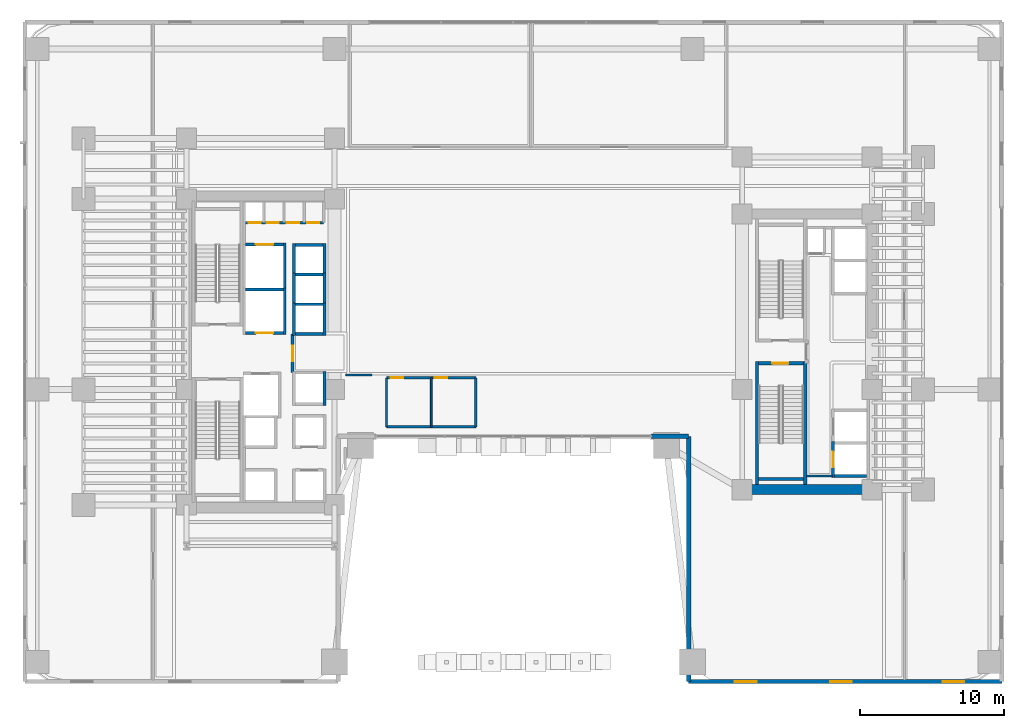
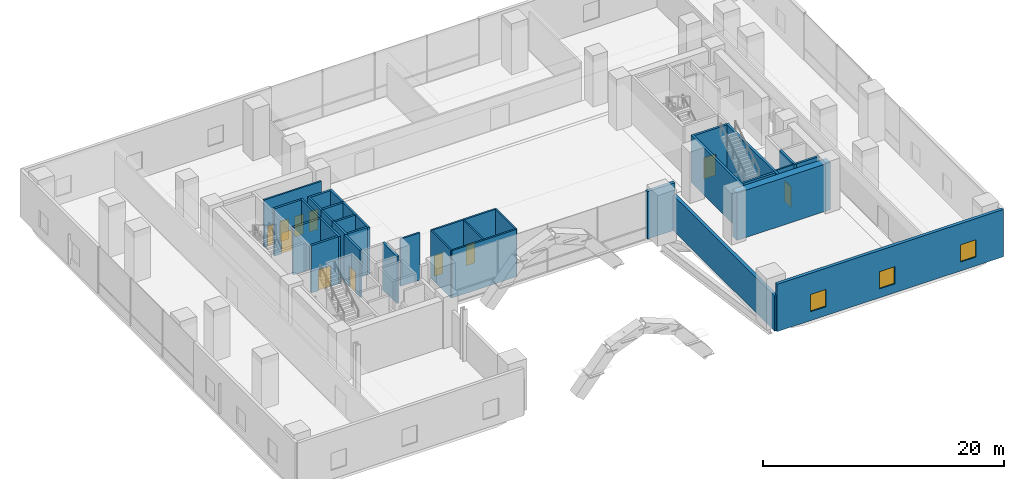
# One storey, part 27 of 39: 35 walls, 11 doors, 3 windows, 14 openings.
"""IFC4 building model written with IfcOpenShell, lengths in metres."""

import ifcopenshell
import ifcopenshell.guid

model = None  # the IFC model being written
_history = None  # IfcOwnerHistory: only IFC2X3 demands one
_inside = {}  # id of a spatial element -> (the spatial element, [elements in it])
_under = {}  # id of a project, library or spatial element -> (it, [spatial elements below it])
_declared = {}  # id of a project -> (the project, [libraries it declares])
_typed = {}  # id of a type object -> (the type object, [elements of that type])
_made_of = {}  # id of a material, layer set ... -> (it, [elements and type objects made of it])


def new_model(schema):
    """Start an empty IFC model of exactly this schema.

    Asked for "IFC4X3", IfcOpenShell would pick the latest addendum, in which some entities
    have other attributes; the version numbers below select the first issue.
    IFC2X3 requires an IfcOwnerHistory on every rooted entity: one is made here for all.
    """
    global model, _history
    if schema == "IFC4X3":
        model = ifcopenshell.file(schema_version=(4, 3, 0, 0))
    else:
        model = ifcopenshell.file(schema=schema)
    _inside.clear()
    _under.clear()
    _declared.clear()
    _typed.clear()
    _made_of.clear()
    _history = None
    if model.schema == "IFC2X3":
        org = make("IfcOrganization", Name="unknown")
        user = make(
            "IfcPersonAndOrganization",
            ThePerson=make("IfcPerson", FamilyName="unknown"),
            TheOrganization=org,
        )
        app = make(
            "IfcApplication",
            ApplicationDeveloper=org,
            Version="unknown",
            ApplicationFullName="unknown",
            ApplicationIdentifier="unknown",
        )
        _history = make(
            "IfcOwnerHistory",
            OwningUser=user,
            OwningApplication=app,
            ChangeAction="ADDED",
            CreationDate=0,
        )
    return model


def make(cls, **values):
    """One entity of the class cls with the attributes given. An attribute that is None is left unset."""
    return model.create_entity(
        cls, **{name: value for name, value in values.items() if value is not None}
    )


def rooted(cls, **values):
    """An entity with a GlobalId (a new one), such as an element, a storey or a relation."""
    return make(cls, GlobalId=ifcopenshell.guid.new(), OwnerHistory=_history, **values)


def si_unit(unit_type, name, prefix=None):
    """IfcSIUnit, for example si_unit("LENGTHUNIT", "METRE", prefix="MILLI")."""
    return make("IfcSIUnit", UnitType=unit_type, Prefix=prefix, Name=name)


def assignment(units):
    """IfcUnitAssignment: the units of a project."""
    return None if units is None else make("IfcUnitAssignment", Units=units)


def point(xyz):
    """IfcCartesianPoint."""
    return None if xyz is None else make("IfcCartesianPoint", Coordinates=xyz)


def direction(xyz):
    """IfcDirection."""
    return None if xyz is None else make("IfcDirection", DirectionRatios=xyz)


def frame(location, z_axis=None, x_axis=None):
    """IfcAxis2Placement3D, a coordinate frame: its origin and axes. An axis left out is left unset."""
    return make(
        "IfcAxis2Placement3D",
        Location=point(location),
        Axis=direction(z_axis),
        RefDirection=direction(x_axis),
    )


def frame_2d(location, x_axis=None):
    """IfcAxis2Placement2D, a coordinate frame in the plane: its origin and x axis."""
    return make(
        "IfcAxis2Placement2D", Location=point(location), RefDirection=direction(x_axis)
    )


def origin():
    """The frame at (0, 0, 0) with its axes left unset."""
    return frame((0.0, 0.0, 0.0))


def place(relative_to, where):
    """IfcLocalPlacement: puts the frame where relative to a parent placement (None: the world)."""
    return make(
        "IfcLocalPlacement", PlacementRelTo=relative_to, RelativePlacement=where
    )


def context(
    kind, dimensions, precision=None, world=None, true_north=None, identifier=None
):
    """IfcGeometricRepresentationContext, for example the 3D "Model" context."""
    return make(
        "IfcGeometricRepresentationContext",
        ContextIdentifier=identifier,
        ContextType=kind,
        CoordinateSpaceDimension=dimensions,
        Precision=precision,
        WorldCoordinateSystem=world,
        TrueNorth=true_north,
    )


def subcontext(parent, identifier, kind, view, scale=None):
    """IfcGeometricRepresentationSubContext, for example "Body" below "Model"."""
    return make(
        "IfcGeometricRepresentationSubContext",
        ContextIdentifier=identifier,
        ContextType=kind,
        ParentContext=parent,
        TargetScale=scale,
        TargetView=view,
    )


def project(units=None, contexts=None):
    """IfcProject with its units and contexts."""
    return rooted(
        "IfcProject",
        Name="project",
        RepresentationContexts=contexts,
        UnitsInContext=assignment(units),
    )


def spatial(cls, under=None, at=None, **own):
    """A site, building, storey or space (cls), placed at a placement, below another one or the project."""
    s = rooted(cls, ObjectPlacement=at, **own)
    if under is not None:
        _under.setdefault(under.id(), (under, []))[1].append(s)
    return s


def profile(cls, at=None, kind="AREA", **sizes):
    """A parametric profile (cls). Its sizes go by their IFC names, for example OverallWidth=200.0."""
    return make(cls, ProfileType=kind, Position=at, **sizes)


def rectangle(**sizes):
    """IfcRectangleProfileDef."""
    return profile("IfcRectangleProfileDef", **sizes)


def extrude(swept, where, along, depth):
    """IfcExtrudedAreaSolid: the profile swept, set in the frame where, extruded along a direction by depth."""
    return make(
        "IfcExtrudedAreaSolid",
        SweptArea=swept,
        Position=where,
        ExtrudedDirection=direction(along),
        Depth=depth,
    )


def shape(context_of_items, identifier, shape_type, items):
    """IfcShapeRepresentation: the items that make up one representation, for example the "Body"."""
    return make(
        "IfcShapeRepresentation",
        ContextOfItems=context_of_items,
        RepresentationIdentifier=identifier,
        RepresentationType=shape_type,
        Items=items,
    )


def material(Name=None, Category=None):
    """IfcMaterial."""
    return make("IfcMaterial", Name=Name, Category=Category)


def layer(
    of_material, thickness, ventilated=None, Name=None, Category=None, Priority=None
):
    """IfcMaterialLayer: one layer of a wall or slab, of a material (None: an air gap)."""
    return make(
        "IfcMaterialLayer",
        Material=of_material,
        LayerThickness=thickness,
        IsVentilated=ventilated,
        Name=Name,
        Category=Category,
        Priority=Priority,
    )


def layer_set(layers, Name=None):
    """IfcMaterialLayerSet."""
    return make("IfcMaterialLayerSet", MaterialLayers=layers, LayerSetName=Name)


def made_of(thing, what):
    """Note that an element or type object is made of a material, layer set ...; save() writes the relation."""
    if what is not None:
        _made_of.setdefault(what.id(), (what, []))[1].append(thing)
    return thing


def type_object(cls, material=None, **own):
    """A type object (cls), such as IfcWallType, which elements share."""
    return made_of(rooted(cls, **own), material)


def element(
    cls,
    number,
    at=None,
    inside=None,
    cuts=None,
    type_object=None,
    material=None,
    context=None,
    identifier="Body",
    shape_type=None,
    held_by="IfcProductDefinitionShape",
    body=None,
    shapes=None,
    **own,
):
    """One element of the class cls, such as IfcWall. Its Tag is "e" and its number.

    at: its placement. inside: the storey or other place that contains it. cuts: it is an
    opening in that element (IfcRelVoidsElement). A single representation is given by context,
    identifier, shape_type and body (its items); several are given by shapes. held_by: the class
    of the entity that holds the representations. save() writes the other relations.
    """
    e = rooted(cls, Tag="e%d" % number, ObjectPlacement=at, **own)
    if body is not None:
        shapes = [shape(context, identifier, shape_type, body)]
    if shapes is not None:
        e.Representation = make(held_by, Representations=shapes)
    if inside is not None:
        _inside.setdefault(inside.id(), (inside, []))[1].append(e)
    if cuts is not None:
        rooted(
            "IfcRelVoidsElement", RelatingBuildingElement=cuts, RelatedOpeningElement=e
        )
    if type_object is not None:
        _typed.setdefault(type_object.id(), (type_object, []))[1].append(e)
    return made_of(e, material)


def fill(opening, filler):
    """IfcRelFillsElement: the door or window that sits in an opening."""
    return rooted(
        "IfcRelFillsElement",
        RelatingOpeningElement=opening,
        RelatedBuildingElement=filler,
    )


def aggregate(whole, parts):
    """IfcRelAggregates: a whole, such as a stair, and the parts it consists of."""
    return rooted("IfcRelAggregates", RelatingObject=whole, RelatedObjects=parts)


def save(model, path):
    """Write the relations noted so far, then the file.

    IfcRelAggregates (storeys below a building ...), IfcRelContainedInSpatialStructure (elements
    in a storey), IfcRelDefinesByType, IfcRelAssociatesMaterial and IfcRelDeclares: one each for
    every whole, place, type object, material and project.
    """
    for whole, parts in _under.values():
        aggregate(whole, parts)
    for where, things in _inside.values():
        rooted(
            "IfcRelContainedInSpatialStructure",
            RelatedElements=things,
            RelatingStructure=where,
        )
    for kind, things in _typed.values():
        rooted("IfcRelDefinesByType", RelatedObjects=things, RelatingType=kind)
    for what, things in _made_of.values():
        rooted("IfcRelAssociatesMaterial", RelatedObjects=things, RelatingMaterial=what)
    for by, libraries in _declared.values():
        rooted("IfcRelDeclares", RelatingContext=by, RelatedDefinitions=libraries)
    model.write(path)


model = new_model("IFC4")

# Units and contexts
model_context = context("Model", 3, precision=1e-05, world=origin(), true_north=direction((0.0, 1.0)))
body_context = subcontext(model_context, "Body", "Model", "MODEL_VIEW")
ifc_project = project(units=[si_unit("LENGTHUNIT", "METRE"), si_unit("AREAUNIT", "SQUARE_METRE"), si_unit("VOLUMEUNIT", "CUBIC_METRE"), si_unit("PLANEANGLEUNIT", "RADIAN"), si_unit("MASSUNIT", "GRAM", prefix="KILO")], contexts=[model_context])

# Site, building, storey
site_placement = place(None, origin())
site = spatial("IfcSite", under=ifc_project, at=site_placement, CompositionType="ELEMENT")
building_placement = place(site_placement, origin())
building = spatial("IfcBuilding", under=site, at=building_placement, Name="Valdorenza Pilgrim Sanctuary Tower", CompositionType="ELEMENT")
storey_placement = place(building_placement, frame((0.0, 0.0, 15.60009765625)))
storey = spatial("IfcBuildingStorey", under=building, at=storey_placement, Name="L03", CompositionType="ELEMENT", Elevation=15.60009765625)

# Wall, openings, doors
ifc_material_1 = material(Name="Acoustic twin-stud gypsum partition", Category="gypsum")
ifc_layer_1 = layer(ifc_material_1, 0.159912109375, Name="Acoustic twin-stud gypsum partition")
ifc_layer_set_1 = layer_set([ifc_layer_1], Name="Acoustic twin-stud gypsum partition")
wall_type_1 = type_object("IfcWallType", Name="WAL-COR-160", PredefinedType="PARTITIONING", material=ifc_layer_set_1)
wall_1_placement = place(storey_placement, frame((-18.64990234375, 8.949951171875, 0.0), z_axis=(0.0, 0.0, 1.0), x_axis=(1.0, 0.0, 0.0)))
wall_1 = element("IfcWall", 1, at=wall_1_placement, inside=storey, type_object=wall_type_1, Name="L03 Core A North Service South Wall", PredefinedType="PARTITIONING", context=body_context, shape_type="SweptSolid", body=[
    extrude(rectangle(XDim=5.5, YDim=0.159912109375, at=frame_2d((2.75, 0.0))), origin(), (0.0, 0.0, 1.0), 4.7998046875),
])
opening_1_placement = place(wall_1_placement, frame((0.300048828125, 0.0, 0.0)))
opening_1 = element("IfcOpeningElement", 2, at=opening_1_placement, cuts=wall_1, Name="Opening DR-RS1", PredefinedType="OPENING", context=body_context, shape_type="SweptSolid", body=[
    extrude(rectangle(XDim=0.85009765625, YDim=2.050048828125, at=frame_2d((0.425048828125, 1.02490234375))), frame((0.0, 0.0947265625, 0.0), z_axis=(0.0, -1.0, 0.0), x_axis=(1.0, 0.0, 0.0)), (0.0, 0.0, 1.0), 0.189697265625),
])
opening_2_placement = place(wall_1_placement, frame((1.550048828125, 0.0, 0.0)))
opening_2 = element("IfcOpeningElement", 3, at=opening_2_placement, cuts=wall_1, Name="Opening DR-RS1", PredefinedType="OPENING", context=body_context, shape_type="SweptSolid", body=[
    extrude(rectangle(XDim=0.85009765625, YDim=2.050048828125, at=frame_2d((0.425048828125, 1.02490234375))), frame((0.0, 0.0947265625, 0.0), z_axis=(0.0, -1.0, 0.0), x_axis=(1.0, 0.0, 0.0)), (0.0, 0.0, 1.0), 0.189697265625),
])
opening_3_placement = place(wall_1_placement, frame((2.949951171875, 0.0, 0.0)))
opening_3 = element("IfcOpeningElement", 4, at=opening_3_placement, cuts=wall_1, Name="Opening DR-RS1", PredefinedType="OPENING", context=body_context, shape_type="SweptSolid", body=[
    extrude(rectangle(XDim=0.85009765625, YDim=2.050048828125, at=frame_2d((0.425048828125, 1.02490234375))), frame((0.0, 0.0947265625, 0.0), z_axis=(0.0, -1.0, 0.0), x_axis=(1.0, 0.0, 0.0)), (0.0, 0.0, 1.0), 0.189697265625),
])
opening_4_placement = place(wall_1_placement, frame((4.35009765625, 0.0, 0.0)))
opening_4 = element("IfcOpeningElement", 5, at=opening_4_placement, cuts=wall_1, Name="Opening DR-RS1", PredefinedType="OPENING", context=body_context, shape_type="SweptSolid", body=[
    extrude(rectangle(XDim=0.85009765625, YDim=2.050048828125, at=frame_2d((0.425048828125, 1.02490234375))), frame((0.0, 0.0947265625, 0.0), z_axis=(0.0, -1.0, 0.0), x_axis=(1.0, 0.0, 0.0)), (0.0, 0.0, 1.0), 0.189697265625),
])
ifc_material_2 = material(Name="Painted galvanized steel", Category="steel")
door_type_1 = type_object("IfcDoorType", Name="DR-RSR-850", OperationType="NOTDEFINED", PredefinedType="DOOR", material=ifc_material_2)
door_1_placement = place(opening_1_placement, origin())
door_1 = element("IfcDoor", 6, at=door_1_placement, inside=storey, type_object=door_type_1, Name="L03 Core Electrical and Telecom Riser Door", OperationType="SINGLE_SWING_LEFT", OverallHeight=2.050048828125, OverallWidth=0.85009765625, PredefinedType="DOOR", context=body_context, shape_type="SweptSolid", body=[
    extrude(rectangle(XDim=0.85009765625, YDim=2.050048828125, at=frame_2d((0.425048828125, 1.02490234375))), frame((0.0, 0.02490234375, 0.0), z_axis=(0.0, -1.0, 0.0), x_axis=(1.0, 0.0, 0.0)), (0.0, 0.0, 1.0), 0.050048828125),
])
fill(opening_1, door_1)
door_2_placement = place(opening_2_placement, origin())
door_2 = element("IfcDoor", 7, at=door_2_placement, inside=storey, type_object=door_type_1, Name="L03 Core Janitor and Maintenance Store Door", OperationType="SINGLE_SWING_RIGHT", OverallHeight=2.050048828125, OverallWidth=0.85009765625, PredefinedType="DOOR", context=body_context, shape_type="SweptSolid", body=[
    extrude(rectangle(XDim=0.85009765625, YDim=2.050048828125, at=frame_2d((0.425048828125, 1.02490234375))), frame((0.0, 0.02490234375, 0.0), z_axis=(0.0, -1.0, 0.0), x_axis=(1.0, 0.0, 0.0)), (0.0, 0.0, 1.0), 0.050048828125),
])
fill(opening_2, door_2)
door_3_placement = place(opening_3_placement, origin())
door_3 = element("IfcDoor", 8, at=door_3_placement, inside=storey, type_object=door_type_1, Name="L03 Core IT Server Closet Door", OperationType="SINGLE_SWING_LEFT", OverallHeight=2.050048828125, OverallWidth=0.85009765625, PredefinedType="DOOR", context=body_context, shape_type="SweptSolid", body=[
    extrude(rectangle(XDim=0.85009765625, YDim=2.050048828125, at=frame_2d((0.425048828125, 1.02490234375))), frame((0.0, 0.02490234375, 0.0), z_axis=(0.0, -1.0, 0.0), x_axis=(1.0, 0.0, 0.0)), (0.0, 0.0, 1.0), 0.050048828125),
])
fill(opening_3, door_3)
door_4_placement = place(opening_4_placement, origin())
door_4 = element("IfcDoor", 9, at=door_4_placement, inside=storey, type_object=door_type_1, Name="L03 Core Staff Washroom Door", OperationType="SINGLE_SWING_RIGHT", OverallHeight=2.050048828125, OverallWidth=0.85009765625, PredefinedType="DOOR", context=body_context, shape_type="SweptSolid", body=[
    extrude(rectangle(XDim=0.85009765625, YDim=2.050048828125, at=frame_2d((0.425048828125, 1.02490234375))), frame((0.0, 0.02490234375, 0.0), z_axis=(0.0, -1.0, 0.0), x_axis=(1.0, 0.0, 0.0)), (0.0, 0.0, 1.0), 0.050048828125),
])
fill(opening_4, door_4)

# Walls
wall_2_placement = place(storey_placement, frame((20.300048828125, -8.60009765625, 0.0), z_axis=(0.0, 0.0, 1.0), x_axis=(1.0, 0.0, 0.0)))
element("IfcWall", 10, at=wall_2_placement, inside=storey, type_object=wall_type_1, Name="L03 Core B Lift Hall South End Wall", PredefinedType="PARTITIONING", context=body_context, shape_type="SweptSolid", body=[
    extrude(rectangle(XDim=1.820068359375, YDim=0.159912109375, at=frame_2d((0.91015625, 0.0))), origin(), (0.0, 0.0, 1.0), 4.7998046875),
])
for number, where, z_axis, x_axis, name in (
    (11, (-8.800048828125, -5.199951171875, 0.0), (0.0, 0.0, 1.0), (0.0, 1.0, 0.0), "L03 Washroom West Wall"),
    (12, (-2.60009765625, -5.199951171875, 0.0), (0.0, 0.0, 1.0), (0.0, 1.0, 0.0), "L03 Washroom East Wall"),
):
    element("IfcWall", number, at=place(storey_placement, frame(where, z_axis=z_axis, x_axis=x_axis)), inside=storey, type_object=wall_type_1, Name=name, PredefinedType="PARTITIONING", context=body_context, shape_type="SweptSolid", body=[
        extrude(rectangle(XDim=3.39990234375, YDim=0.159912109375, at=frame_2d((1.699951171875, 0.0))), origin(), (0.0, 0.0, 1.0), 4.7998046875),
    ])
wall_3_placement = place(storey_placement, frame((-8.800048828125, -5.199951171875, 0.0), z_axis=(0.0, 0.0, 1.0), x_axis=(1.0, 0.0, 0.0)))
element("IfcWall", 13, at=wall_3_placement, inside=storey, type_object=wall_type_1, Name="L03 Washroom South Wall", PredefinedType="PARTITIONING", context=body_context, shape_type="SweptSolid", body=[
    extrude(rectangle(XDim=6.199951171875, YDim=0.159912109375, at=frame_2d((3.10009765625, 0.0))), origin(), (0.0, 0.0, 1.0), 4.7998046875),
])

# Wall, openings, doors
wall_4_placement = place(storey_placement, frame((-8.800048828125, -1.800048828125, 0.0), z_axis=(0.0, 0.0, 1.0), x_axis=(1.0, 0.0, 0.0)))
wall_4 = element("IfcWall", 14, at=wall_4_placement, inside=storey, type_object=wall_type_1, Name="L03 Washroom North Wall", PredefinedType="PARTITIONING", context=body_context, shape_type="SweptSolid", body=[
    extrude(rectangle(XDim=6.199951171875, YDim=0.159912109375, at=frame_2d((3.10009765625, 0.0))), origin(), (0.0, 0.0, 1.0), 4.7998046875),
])
opening_5_placement = place(wall_4_placement, frame((0.300048828125, 0.0, 0.0)))
opening_5 = element("IfcOpeningElement", 15, at=opening_5_placement, cuts=wall_4, Name="Opening DR-WC1", PredefinedType="OPENING", context=body_context, shape_type="SweptSolid", body=[
    extrude(rectangle(XDim=0.85009765625, YDim=2.10009765625, at=frame_2d((0.425048828125, 1.050048828125))), frame((0.0, 0.0947265625, 0.0), z_axis=(0.0, -1.0, 0.0), x_axis=(1.0, 0.0, 0.0)), (0.0, 0.0, 1.0), 0.189697265625),
])
opening_6_placement = place(wall_4_placement, frame((3.35009765625, 0.0, 0.0)))
opening_6 = element("IfcOpeningElement", 16, at=opening_6_placement, cuts=wall_4, Name="Opening DR-WC1", PredefinedType="OPENING", context=body_context, shape_type="SweptSolid", body=[
    extrude(rectangle(XDim=0.85009765625, YDim=2.10009765625, at=frame_2d((0.425048828125, 1.050048828125))), frame((0.0, 0.0947265625, 0.0), z_axis=(0.0, -1.0, 0.0), x_axis=(1.0, 0.0, 0.0)), (0.0, 0.0, 1.0), 0.189697265625),
])
ifc_material_3 = material(Name="Moisture-resistant lacquered timber", Category="wood")
door_type_2 = type_object("IfcDoorType", Name="DR-BATH-850", OperationType="NOTDEFINED", PredefinedType="DOOR", material=ifc_material_3)
door_5_placement = place(opening_5_placement, origin())
door_5 = element("IfcDoor", 17, at=door_5_placement, inside=storey, type_object=door_type_2, Name="L03 Accessible Washroom Door", OperationType="SINGLE_SWING_LEFT", OverallHeight=2.10009765625, OverallWidth=0.85009765625, PredefinedType="DOOR", context=body_context, shape_type="SweptSolid", body=[
    extrude(rectangle(XDim=0.85009765625, YDim=2.10009765625, at=frame_2d((0.425048828125, 1.050048828125))), frame((0.0, 0.02490234375, 0.0), z_axis=(0.0, -1.0, 0.0), x_axis=(1.0, 0.0, 0.0)), (0.0, 0.0, 1.0), 0.050048828125),
])
fill(opening_5, door_5)
door_6_placement = place(opening_6_placement, origin())
door_6 = element("IfcDoor", 18, at=door_6_placement, inside=storey, type_object=door_type_2, Name="L03 Public Washroom Door", OperationType="SINGLE_SWING_RIGHT", OverallHeight=2.10009765625, OverallWidth=0.85009765625, PredefinedType="DOOR", context=body_context, shape_type="SweptSolid", body=[
    extrude(rectangle(XDim=0.85009765625, YDim=2.10009765625, at=frame_2d((0.425048828125, 1.050048828125))), frame((0.0, 0.02490234375, 0.0), z_axis=(0.0, -1.0, 0.0), x_axis=(1.0, 0.0, 0.0)), (0.0, 0.0, 1.0), 0.050048828125),
])
fill(opening_6, door_6)

# Walls
wall_5_placement = place(storey_placement, frame((-11.64990234375, -1.60009765625, 0.0), z_axis=(0.0, 0.0, 1.0), x_axis=(1.0, 0.0, 0.0)))
element("IfcWall", 19, at=wall_5_placement, inside=storey, type_object=wall_type_1, Name="L03 L03 Concourse South Closure", PredefinedType="PARTITIONING", context=body_context, shape_type="SweptSolid", body=[
    extrude(rectangle(XDim=1.849853515625, YDim=0.159912109375, at=frame_2d((0.9248046875, 0.0))), origin(), (0.0, 0.0, 1.0), 4.7998046875),
])
ifc_material_4 = material(Name="Concrete C60/75", Category="concrete")
ifc_layer_2 = layer(ifc_material_4, 0.699951171875, Name="Concrete C60/75")
ifc_layer_set_2 = layer_set([ifc_layer_2], Name="Concrete C60/75")
wall_type_2 = type_object("IfcWallType", Name="WAL-COR-700", PredefinedType="SHEAR", material=ifc_layer_set_2)
wall_6_placement = place(storey_placement, frame((15.85009765625, -9.550048828125, 0.0), z_axis=(0.0, 0.0, 1.0), x_axis=(1.0, 0.0, 0.0)))
element("IfcWall", 20, at=wall_6_placement, inside=storey, type_object=wall_type_2, Name="L03 Split Core B Shear Wall S", PredefinedType="SHEAR", context=body_context, shape_type="SweptSolid", body=[
    extrude(rectangle(XDim=9.0, YDim=0.699951171875, at=frame_2d((4.5, 0.0))), origin(), (0.0, 0.0, 1.0), 4.7998046875),
])

# Wall, openings, windows
ifc_material_5 = material(Name="Honed travertine limestone", Category="masonry")
ifc_layer_3 = layer(ifc_material_5, 0.300048828125, Name="Honed travertine limestone")
ifc_layer_set_3 = layer_set([ifc_layer_3], Name="Honed travertine limestone")
wall_type_3 = type_object("IfcWallType", Name="WAL-EXT-300", PredefinedType="SOLIDWALL", material=ifc_layer_set_3)
wall_7_placement = place(storey_placement, frame((12.14990234375, -22.85009765625, 0.0), z_axis=(0.0, 0.0, 1.0), x_axis=(1.0, 0.0, 0.0)))
wall_7 = element("IfcWall", 21, at=wall_7_placement, inside=storey, type_object=wall_type_3, Name="L03 Podium Honed Travertine Stone Wall S-E", PredefinedType="SOLIDWALL", context=body_context, shape_type="SweptSolid", body=[
    extrude(rectangle(XDim=21.7001953125, YDim=0.300048828125, at=frame_2d((10.85009765625, 0.0))), origin(), (0.0, 0.0, 1.0), 4.7998046875),
])
opening_7_placement = place(wall_7_placement, frame((3.199951171875, 0.0, 0.89990234375)))
opening_7 = element("IfcOpeningElement", 22, at=opening_7_placement, cuts=wall_7, Name="Opening WN-VS1", PredefinedType="OPENING", context=body_context, shape_type="SweptSolid", body=[
    extrude(rectangle(XDim=1.5, YDim=1.75, at=frame_2d((0.75, 0.875))), frame((0.0, 0.1650390625, 0.0), z_axis=(0.0, -1.0, 0.0), x_axis=(1.0, 0.0, 0.0)), (0.0, 0.0, 1.0), 0.329833984375),
])
opening_8_placement = place(wall_7_placement, frame((9.800048828125, 0.0, 0.89990234375)))
opening_8 = element("IfcOpeningElement", 23, at=opening_8_placement, cuts=wall_7, Name="Opening WN-VS1", PredefinedType="OPENING", context=body_context, shape_type="SweptSolid", body=[
    extrude(rectangle(XDim=1.5, YDim=1.75, at=frame_2d((0.75, 0.875))), frame((0.0, 0.1650390625, 0.0), z_axis=(0.0, -1.0, 0.0), x_axis=(1.0, 0.0, 0.0)), (0.0, 0.0, 1.0), 0.329833984375),
])
opening_9_placement = place(wall_7_placement, frame((17.60009765625, 0.0, 0.89990234375)))
opening_9 = element("IfcOpeningElement", 24, at=opening_9_placement, cuts=wall_7, Name="Opening WN-VS1", PredefinedType="OPENING", context=body_context, shape_type="SweptSolid", body=[
    extrude(rectangle(XDim=1.5, YDim=1.75, at=frame_2d((0.75, 0.875))), frame((0.0, 0.1650390625, 0.0), z_axis=(0.0, -1.0, 0.0), x_axis=(1.0, 0.0, 0.0)), (0.0, 0.0, 1.0), 0.329833984375),
])
ifc_material_6 = material(Name="Ceramic-fritted low-E IGU glazing", Category="glass")
window_type = type_object("IfcWindowType", Name="WIN-VIS-1500", PartitioningType="SINGLE_PANEL", PredefinedType="WINDOW", material=ifc_material_6)
window_1_placement = place(opening_7_placement, origin())
window_1 = element("IfcWindow", 25, at=window_1_placement, inside=storey, type_object=window_type, Name="L03 Podium Stone Vision Window S-E-1", OverallHeight=1.75, OverallWidth=1.5, PartitioningType="SINGLE_PANEL", PredefinedType="WINDOW", context=body_context, shape_type="SweptSolid", body=[
    extrude(rectangle(XDim=1.5, YDim=1.75, at=frame_2d((0.75, 0.875))), frame((0.0, 0.030029296875, 0.0), z_axis=(0.0, -1.0, 0.0), x_axis=(1.0, 0.0, 0.0)), (0.0, 0.0, 1.0), 0.06005859375),
])
fill(opening_7, window_1)
window_2_placement = place(opening_8_placement, origin())
window_2 = element("IfcWindow", 26, at=window_2_placement, inside=storey, type_object=window_type, Name="L03 Podium Stone Vision Window S-E-2", OverallHeight=1.75, OverallWidth=1.5, PartitioningType="SINGLE_PANEL", PredefinedType="WINDOW", context=body_context, shape_type="SweptSolid", body=[
    extrude(rectangle(XDim=1.5, YDim=1.75, at=frame_2d((0.75, 0.875))), frame((0.0, 0.030029296875, 0.0), z_axis=(0.0, -1.0, 0.0), x_axis=(1.0, 0.0, 0.0)), (0.0, 0.0, 1.0), 0.06005859375),
])
fill(opening_8, window_2)
window_3_placement = place(opening_9_placement, origin())
window_3 = element("IfcWindow", 27, at=window_3_placement, inside=storey, type_object=window_type, Name="L03 Podium Stone Vision Window S-E-3", OverallHeight=1.75, OverallWidth=1.5, PartitioningType="SINGLE_PANEL", PredefinedType="WINDOW", context=body_context, shape_type="SweptSolid", body=[
    extrude(rectangle(XDim=1.5, YDim=1.75, at=frame_2d((0.75, 0.875))), frame((0.0, 0.030029296875, 0.0), z_axis=(0.0, -1.0, 0.0), x_axis=(1.0, 0.0, 0.0)), (0.0, 0.0, 1.0), 0.06005859375),
])
fill(opening_9, window_3)

# Walls
wall_8_placement = place(storey_placement, frame((12.14990234375, -22.85009765625, 0.0), z_axis=(0.0, 0.0, 1.0), x_axis=(0.0, 1.0, 0.0)))
element("IfcWall", 28, at=wall_8_placement, inside=storey, type_object=wall_type_3, Name="L03 Portal Arch Stone Cheek Wall ARCH-E", PredefinedType="SOLIDWALL", context=body_context, shape_type="SweptSolid", body=[
    extrude(rectangle(XDim=17.0, YDim=0.300048828125, at=frame_2d((8.5, 0.0))), origin(), (0.0, 0.0, 1.0), 3.5849609375),
])
wall_9_placement = place(storey_placement, frame((9.52001953125, -5.85009765625, 0.0), z_axis=(0.0, 0.0, 1.0), x_axis=(1.0, 0.0, 0.0)))
element("IfcWall", 29, at=wall_9_placement, inside=storey, type_object=wall_type_3, Name="L03 Arch Pier East Stone Jamb", PredefinedType="SOLIDWALL", context=body_context, shape_type="SweptSolid", body=[
    extrude(rectangle(XDim=2.6298828125, YDim=0.300048828125, at=frame_2d((1.31494140625, 0.0))), origin(), (0.0, 0.0, 1.0), 4.7998046875),
])

# Wall, opening, door
ifc_material_7 = material(Name="Gypsum shaftwall partition", Category="gypsum")
ifc_layer_4 = layer(ifc_material_7, 0.199951171875, Name="Gypsum shaftwall partition")
ifc_layer_set_4 = layer_set([ifc_layer_4], Name="Gypsum shaftwall partition")
wall_type_4 = type_object("IfcWallType", Name="WAL-FFL-200", PredefinedType="PARTITIONING", material=ifc_layer_set_4)
wall_10_placement = place(storey_placement, frame((-15.300048828125, -1.419921875, 0.0), z_axis=(0.0, 0.0, 1.0), x_axis=(0.0, 1.0, 0.0)))
wall_10 = element("IfcWall", 30, at=wall_10_placement, inside=storey, type_object=wall_type_4, Name="L03 Core A Firefighting Lobby East Wall", PredefinedType="PARTITIONING", context=body_context, shape_type="SweptSolid", body=[
    extrude(rectangle(XDim=2.669921875, YDim=0.199951171875, at=frame_2d((1.3349609375, 0.0))), origin(), (0.0, 0.0, 1.0), 4.7998046875),
])
opening_10_placement = place(wall_10_placement, frame((0.780029296875, 0.0, 0.0)))
opening_10 = element("IfcOpeningElement", 31, at=opening_10_placement, cuts=wall_10, Name="Opening DR-FL1", PredefinedType="OPENING", context=body_context, shape_type="SweptSolid", body=[
    extrude(rectangle(XDim=1.050048828125, YDim=2.14990234375, at=frame_2d((0.52490234375, 1.074951171875))), frame((0.0, 0.11474609375, 0.0), z_axis=(0.0, -1.0, 0.0), x_axis=(1.0, 0.0, 0.0)), (0.0, 0.0, 1.0), 0.229736328125),
])
door_type_3 = type_object("IfcDoorType", Name="DR-FFL-1050", OperationType="NOTDEFINED", PredefinedType="DOOR", material=ifc_material_2)
door_7_placement = place(opening_10_placement, origin())
door_7 = element("IfcDoor", 32, at=door_7_placement, inside=storey, type_object=door_type_3, Name="L03 Core A Firefighting Lobby Door", OperationType="SINGLE_SWING_RIGHT", OverallHeight=2.14990234375, OverallWidth=1.050048828125, PredefinedType="DOOR", context=body_context, shape_type="SweptSolid", body=[
    extrude(rectangle(XDim=1.050048828125, YDim=2.14990234375, at=frame_2d((0.52490234375, 1.074951171875))), frame((0.0, 0.02490234375, 0.0), z_axis=(0.0, -1.0, 0.0), x_axis=(1.0, 0.0, 0.0)), (0.0, 0.0, 1.0), 0.050048828125),
])
fill(opening_10, door_7)

# Walls
ifc_material_8 = material(Name="Moisture-resistant gypsum partition", Category="gypsum")
ifc_layer_5 = layer(ifc_material_8, 0.1201171875, Name="Moisture-resistant gypsum partition")
ifc_layer_set_5 = layer_set([ifc_layer_5], Name="Moisture-resistant gypsum partition")
wall_type_5 = type_object("IfcWallType", Name="WAL-INT-120", PredefinedType="PARTITIONING", material=ifc_layer_set_5)
wall_11_placement = place(storey_placement, frame((-5.699951171875, -5.199951171875, 0.0), z_axis=(0.0, 0.0, 1.0), x_axis=(0.0, 1.0, 0.0)))
element("IfcWall", 33, at=wall_11_placement, inside=storey, type_object=wall_type_5, Name="L03 Washroom Divider Wall", PredefinedType="PARTITIONING", context=body_context, shape_type="SweptSolid", body=[
    extrude(rectangle(XDim=3.39990234375, YDim=0.1201171875, at=frame_2d((1.699951171875, 0.0))), origin(), (0.0, 0.0, 1.0), 4.7998046875),
])
ifc_material_9 = material(Name="Autoclaved aerated concrete blockwork", Category="masonry")
ifc_layer_6 = layer(ifc_material_9, 0.199951171875, Name="Autoclaved aerated concrete blockwork")
ifc_layer_set_6 = layer_set([ifc_layer_6], Name="Autoclaved aerated concrete blockwork")
wall_type_6 = type_object("IfcWallType", Name="WAL-SHF-200", PredefinedType="MOVABLE", material=ifc_layer_set_6)
wall_12_placement = place(storey_placement, frame((-15.85009765625, 1.199951171875, 0.0), z_axis=(0.0, 0.0, 1.0), x_axis=(0.0, 1.0, 0.0)))
element("IfcWall", 34, at=wall_12_placement, inside=storey, type_object=wall_type_6, Name="L03 Lift FFL-01 Hoistway Wall East", PredefinedType="MOVABLE", context=body_context, shape_type="SweptSolid", body=[
    extrude(rectangle(XDim=3.22509765625, YDim=0.199951171875, at=frame_2d((1.612548828125, 0.0))), origin(), (0.0, 0.0, 1.0), 4.7998046875),
])

# Wall, opening, door
wall_13_placement = place(storey_placement, frame((-18.550048828125, 1.300048828125, 0.0), z_axis=(0.0, 0.0, 1.0), x_axis=(1.0, 0.0, 0.0)))
wall_13 = element("IfcWall", 35, at=wall_13_placement, inside=storey, type_object=wall_type_6, Name="L03 Lift FFL-01 Hoistway Wall South", PredefinedType="MOVABLE", context=body_context, shape_type="SweptSolid", body=[
    extrude(rectangle(XDim=2.60009765625, YDim=0.199951171875, at=frame_2d((1.300048828125, 0.0))), origin(), (0.0, 0.0, 1.0), 4.7998046875),
])
opening_11_placement = place(wall_13_placement, frame((0.699951171875, 0.0, 0.0)))
opening_11 = element("IfcOpeningElement", 36, at=opening_11_placement, cuts=wall_13, Name="Opening LD-02", PredefinedType="OPENING", context=body_context, shape_type="SweptSolid", body=[
    extrude(rectangle(XDim=1.199951171875, YDim=2.10009765625, at=frame_2d((0.60009765625, 1.050048828125))), frame((0.0, 0.11474609375, 0.0), z_axis=(0.0, -1.0, 0.0), x_axis=(1.0, 0.0, 0.0)), (0.0, 0.0, 1.0), 0.229736328125),
])
ifc_material_10 = material(Name="Brushed stainless steel Grade 316", Category="steel")
door_type_4 = type_object("IfcDoorType", Name="DR-LFT-1200", OperationType="DOUBLE_DOOR_SLIDING", PredefinedType="DOOR", material=ifc_material_10)
door_8_placement = place(opening_11_placement, origin())
door_8 = element("IfcDoor", 37, at=door_8_placement, inside=storey, type_object=door_type_4, Name="L03 Lift FFL-01 Sliding Landing Door", OperationType="DOUBLE_DOOR_SLIDING", OverallHeight=2.10009765625, OverallWidth=1.199951171875, PredefinedType="DOOR", context=body_context, shape_type="SweptSolid", body=[
    extrude(rectangle(XDim=1.199951171875, YDim=2.10009765625, at=frame_2d((0.60009765625, 1.050048828125))), frame((0.0, 0.02490234375, 0.0), z_axis=(0.0, -1.0, 0.0), x_axis=(1.0, 0.0, 0.0)), (0.0, 0.0, 1.0), 0.050048828125),
])
fill(opening_11, door_8)

# Walls
wall_14_placement = place(storey_placement, frame((-18.550048828125, 4.324951171875, 0.0), z_axis=(0.0, 0.0, 1.0), x_axis=(1.0, 0.0, 0.0)))
element("IfcWall", 38, at=wall_14_placement, inside=storey, type_object=wall_type_6, Name="L03 Lift FFL-01 Hoistway Wall North", PredefinedType="MOVABLE", context=body_context, shape_type="SweptSolid", body=[
    extrude(rectangle(XDim=2.60009765625, YDim=0.199951171875, at=frame_2d((1.300048828125, 0.0))), origin(), (0.0, 0.0, 1.0), 4.7998046875),
])
wall_15_placement = place(storey_placement, frame((-15.85009765625, 4.22509765625, 0.0), z_axis=(0.0, 0.0, 1.0), x_axis=(0.0, 1.0, 0.0)))
element("IfcWall", 39, at=wall_15_placement, inside=storey, type_object=wall_type_6, Name="L03 Lift SVL-01 Hoistway Wall East", PredefinedType="MOVABLE", context=body_context, shape_type="SweptSolid", body=[
    extrude(rectangle(XDim=3.324951171875, YDim=0.199951171875, at=frame_2d((1.66259765625, 0.0))), origin(), (0.0, 0.0, 1.0), 4.7998046875),
])

# Wall, opening, door
wall_16_placement = place(storey_placement, frame((-18.550048828125, 7.449951171875, 0.0), z_axis=(0.0, 0.0, 1.0), x_axis=(1.0, 0.0, 0.0)))
wall_16 = element("IfcWall", 40, at=wall_16_placement, inside=storey, type_object=wall_type_6, Name="L03 Lift SVL-01 Hoistway Wall North", PredefinedType="MOVABLE", context=body_context, shape_type="SweptSolid", body=[
    extrude(rectangle(XDim=2.60009765625, YDim=0.199951171875, at=frame_2d((1.300048828125, 0.0))), origin(), (0.0, 0.0, 1.0), 4.7998046875),
])
opening_12_placement = place(wall_16_placement, frame((0.699951171875, 0.0, 0.0)))
opening_12 = element("IfcOpeningElement", 41, at=opening_12_placement, cuts=wall_16, Name="Opening LD-02", PredefinedType="OPENING", context=body_context, shape_type="SweptSolid", body=[
    extrude(rectangle(XDim=1.199951171875, YDim=2.10009765625, at=frame_2d((0.60009765625, 1.050048828125))), frame((0.0, 0.11474609375, 0.0), z_axis=(0.0, -1.0, 0.0), x_axis=(1.0, 0.0, 0.0)), (0.0, 0.0, 1.0), 0.229736328125),
])
door_9_placement = place(opening_12_placement, origin())
door_9 = element("IfcDoor", 42, at=door_9_placement, inside=storey, type_object=door_type_4, Name="L03 Lift SVL-01 Sliding Landing Door", OperationType="DOUBLE_DOOR_SLIDING", OverallHeight=2.10009765625, OverallWidth=1.199951171875, PredefinedType="DOOR", context=body_context, shape_type="SweptSolid", body=[
    extrude(rectangle(XDim=1.199951171875, YDim=2.10009765625, at=frame_2d((0.60009765625, 1.050048828125))), frame((0.0, 0.02490234375, 0.0), z_axis=(0.0, -1.0, 0.0), x_axis=(1.0, 0.0, 0.0)), (0.0, 0.0, 1.0), 0.050048828125),
])
fill(opening_12, door_9)

wall_17_placement = place(storey_placement, frame((22.14990234375, -8.699951171875, 0.0), z_axis=(0.0, 0.0, 1.0), x_axis=(0.0, 1.0, 0.0)))
wall_17 = element("IfcWall", 43, at=wall_17_placement, inside=storey, type_object=wall_type_6, Name="L03 Lift PL-03 Hoistway Wall West", PredefinedType="MOVABLE", context=body_context, shape_type="SweptSolid", body=[
    extrude(rectangle(XDim=2.474853515625, YDim=0.199951171875, at=frame_2d((1.2373046875, 0.0))), origin(), (0.0, 0.0, 1.0), 4.7998046875),
])
opening_13_placement = place(wall_17_placement, frame((0.6875, 0.0, 0.0)))
opening_13 = element("IfcOpeningElement", 44, at=opening_13_placement, cuts=wall_17, Name="Opening LD-01", PredefinedType="OPENING", context=body_context, shape_type="SweptSolid", body=[
    extrude(rectangle(XDim=1.10009765625, YDim=2.10009765625, at=frame_2d((0.550048828125, 1.050048828125))), frame((0.0, 0.11474609375, 0.0), z_axis=(0.0, -1.0, 0.0), x_axis=(1.0, 0.0, 0.0)), (0.0, 0.0, 1.0), 0.229736328125),
])
door_type_5 = type_object("IfcDoorType", Name="DR-LFT-1100", OperationType="DOUBLE_DOOR_SLIDING", PredefinedType="DOOR", material=ifc_material_10)
door_10_placement = place(opening_13_placement, origin())
door_10 = element("IfcDoor", 45, at=door_10_placement, inside=storey, type_object=door_type_5, Name="L03 Lift PL-03 Sliding Landing Door", OperationType="DOUBLE_DOOR_SLIDING", OverallHeight=2.10009765625, OverallWidth=1.10009765625, PredefinedType="DOOR", context=body_context, shape_type="SweptSolid", body=[
    extrude(rectangle(XDim=1.10009765625, YDim=2.10009765625, at=frame_2d((0.550048828125, 1.050048828125))), frame((0.0, 0.02490234375, 0.0), z_axis=(0.0, -1.0, 0.0), x_axis=(1.0, 0.0, 0.0)), (0.0, 0.0, 1.0), 0.050048828125),
])
fill(opening_13, door_10)

# Walls
wall_18_placement = place(storey_placement, frame((22.25, -8.60009765625, 0.0), z_axis=(0.0, 0.0, 1.0), x_axis=(1.0, 0.0, 0.0)))
element("IfcWall", 46, at=wall_18_placement, inside=storey, type_object=wall_type_6, Name="L03 Lift PL-03 Hoistway Wall South", PredefinedType="MOVABLE", context=body_context, shape_type="SweptSolid", body=[
    extrude(rectangle(XDim=2.22998046875, YDim=0.199951171875, at=frame_2d((1.114990234375, 0.0))), origin(), (0.0, 0.0, 1.0), 4.7998046875),
])
for number, where, z_axis, x_axis, name in (
    (47, (-15.199951171875, 1.14990234375, 0.0), (0.0, 0.0, 1.0), (0.0, 1.0, 0.0), "L03 Lift PL-06 Hoistway Wall West"),
    (48, (-13.080078125, 1.14990234375, 0.0), (0.0, 0.0, 1.0), (0.0, 1.0, 0.0), "L03 Lift PL-06 Hoistway Wall East"),
):
    element("IfcWall", number, at=place(storey_placement, frame(where, z_axis=z_axis, x_axis=x_axis)), inside=storey, type_object=wall_type_6, Name=name, PredefinedType="MOVABLE", context=body_context, shape_type="SweptSolid", body=[
        extrude(rectangle(XDim=2.25, YDim=0.199951171875, at=frame_2d((1.125, 0.0))), origin(), (0.0, 0.0, 1.0), 4.7998046875),
    ])
wall_19_placement = place(storey_placement, frame((-15.10009765625, 1.25, 0.0), z_axis=(0.0, 0.0, 1.0), x_axis=(1.0, 0.0, 0.0)))
element("IfcWall", 49, at=wall_19_placement, inside=storey, type_object=wall_type_6, Name="L03 Lift PL-06 Hoistway Wall South", PredefinedType="MOVABLE", context=body_context, shape_type="SweptSolid", body=[
    extrude(rectangle(XDim=1.920166015625, YDim=0.199951171875, at=frame_2d((0.9599609375, 0.0))), origin(), (0.0, 0.0, 1.0), 4.7998046875),
])
for number, where, z_axis, x_axis, name in (
    (50, (-15.199951171875, 3.199951171875, 0.0), (0.0, 0.0, 1.0), (0.0, 1.0, 0.0), "L03 Lift PL-09 Hoistway Wall West"),
    (51, (-13.080078125, 3.199951171875, 0.0), (0.0, 0.0, 1.0), (0.0, 1.0, 0.0), "L03 Lift PL-09 Hoistway Wall East"),
):
    element("IfcWall", number, at=place(storey_placement, frame(where, z_axis=z_axis, x_axis=x_axis)), inside=storey, type_object=wall_type_6, Name=name, PredefinedType="MOVABLE", context=body_context, shape_type="SweptSolid", body=[
        extrude(rectangle(XDim=2.25, YDim=0.199951171875, at=frame_2d((1.125, 0.0))), origin(), (0.0, 0.0, 1.0), 4.7998046875),
    ])
for number, where, z_axis, x_axis, name in (
    (52, (-15.10009765625, 3.300048828125, 0.0), (0.0, 0.0, 1.0), (1.0, 0.0, 0.0), "L03 Lift PL-09 Hoistway Wall South"),
    (53, (-15.10009765625, 5.35009765625, 0.0), (0.0, 0.0, 1.0), (1.0, 0.0, 0.0), "L03 Lift PL-09 Hoistway Wall North"),
):
    element("IfcWall", number, at=place(storey_placement, frame(where, z_axis=z_axis, x_axis=x_axis)), inside=storey, type_object=wall_type_6, Name=name, PredefinedType="MOVABLE", context=body_context, shape_type="SweptSolid", body=[
        extrude(rectangle(XDim=1.920166015625, YDim=0.199951171875, at=frame_2d((0.9599609375, 0.0))), origin(), (0.0, 0.0, 1.0), 4.7998046875),
    ])
for number, where, z_axis, x_axis, name in (
    (54, (-15.199951171875, 5.25, 0.0), (0.0, 0.0, 1.0), (0.0, 1.0, 0.0), "L03 Lift PL-10 Hoistway Wall West"),
    (55, (-13.080078125, 5.25, 0.0), (0.0, 0.0, 1.0), (0.0, 1.0, 0.0), "L03 Lift PL-10 Hoistway Wall East"),
):
    element("IfcWall", number, at=place(storey_placement, frame(where, z_axis=z_axis, x_axis=x_axis)), inside=storey, type_object=wall_type_6, Name=name, PredefinedType="MOVABLE", context=body_context, shape_type="SweptSolid", body=[
        extrude(rectangle(XDim=2.25, YDim=0.199951171875, at=frame_2d((1.125, 0.0))), origin(), (0.0, 0.0, 1.0), 4.7998046875),
    ])
wall_20_placement = place(storey_placement, frame((-15.10009765625, 7.39990234375, 0.0), z_axis=(0.0, 0.0, 1.0), x_axis=(1.0, 0.0, 0.0)))
element("IfcWall", 56, at=wall_20_placement, inside=storey, type_object=wall_type_6, Name="L03 Lift PL-10 Hoistway Wall North", PredefinedType="MOVABLE", context=body_context, shape_type="SweptSolid", body=[
    extrude(rectangle(XDim=1.920166015625, YDim=0.199951171875, at=frame_2d((0.9599609375, 0.0))), origin(), (0.0, 0.0, 1.0), 4.7998046875),
])
wall_21_placement = place(storey_placement, frame((-13.080078125, -3.699951171875, 0.0), z_axis=(0.0, 0.0, 1.0), x_axis=(0.0, 1.0, 0.0)))
element("IfcWall", 57, at=wall_21_placement, inside=storey, type_object=wall_type_6, Name="L03 Lift PL-12 Hoistway Wall East", PredefinedType="MOVABLE", context=body_context, shape_type="SweptSolid", body=[
    extrude(rectangle(XDim=2.349853515625, YDim=0.199951171875, at=frame_2d((1.1748046875, 0.0))), origin(), (0.0, 0.0, 1.0), 4.7998046875),
])
ifc_material_11 = material(Name="Concrete C40/50", Category="concrete")
ifc_layer_7 = layer(ifc_material_11, 0.219970703125, Name="Concrete C40/50")
ifc_layer_set_7 = layer_set([ifc_layer_7], Name="Concrete C40/50")
wall_type_7 = type_object("IfcWallType", Name="WAL-STR-SHF-220", PredefinedType="SHEAR", material=ifc_layer_set_7)
for number, where, z_axis, x_axis, name in (
    (58, (16.889892578125, -9.199951171875, 0.0), (0.0, 0.0, 1.0), (0.0, 1.0, 0.0), "L03 ST-B2 Structural Stairwell Wall W"),
    (59, (20.219970703125, -9.199951171875, 0.0), (0.0, 0.0, 1.0), (0.0, 1.0, 0.0), "L03 ST-B2 Structural Stairwell Wall E"),
):
    element("IfcWall", number, at=place(storey_placement, frame(where, z_axis=z_axis, x_axis=x_axis)), inside=storey, type_object=wall_type_7, Name=name, PredefinedType="SHEAR", context=body_context, shape_type="SweptSolid", body=[
        extrude(rectangle(XDim=8.52001953125, YDim=0.219970703125, at=frame_2d((4.260009765625, 0.0))), origin(), (0.0, 0.0, 1.0), 4.7998046875),
    ])
wall_22_placement = place(storey_placement, frame((17.0, -8.81005859375, 0.0), z_axis=(0.0, 0.0, 1.0), x_axis=(1.0, 0.0, 0.0)))
element("IfcWall", 60, at=wall_22_placement, inside=storey, type_object=wall_type_7, Name="L03 ST-B2 Structural Stairwell Wall S", PredefinedType="SHEAR", context=body_context, shape_type="SweptSolid", body=[
    extrude(rectangle(XDim=3.110107421875, YDim=0.219970703125, at=frame_2d((1.55517578125, 0.0))), origin(), (0.0, 0.0, 1.0), 4.7998046875),
])

# Wall, opening, door
wall_23_placement = place(storey_placement, frame((17.0, -0.7900390625, 0.0), z_axis=(0.0, 0.0, 1.0), x_axis=(1.0, 0.0, 0.0)))
wall_23 = element("IfcWall", 61, at=wall_23_placement, inside=storey, type_object=wall_type_7, Name="L03 ST-B2 Structural Stairwell Wall N", PredefinedType="SHEAR", context=body_context, shape_type="SweptSolid", body=[
    extrude(rectangle(XDim=3.110107421875, YDim=0.219970703125, at=frame_2d((1.55517578125, 0.0))), origin(), (0.0, 0.0, 1.0), 4.7998046875),
])
opening_14_placement = place(wall_23_placement, frame((0.949951171875, 0.0, 0.0)))
opening_14 = element("IfcOpeningElement", 62, at=opening_14_placement, cuts=wall_23, Name="Opening DR-ST1", PredefinedType="OPENING", context=body_context, shape_type="SweptSolid", body=[
    extrude(rectangle(XDim=1.10009765625, YDim=2.14990234375, at=frame_2d((0.550048828125, 1.074951171875))), frame((0.0, 0.125, 0.0), z_axis=(0.0, -1.0, 0.0), x_axis=(1.0, 0.0, 0.0)), (0.0, 0.0, 1.0), 0.249755859375),
])
door_type_6 = type_object("IfcDoorType", Name="DR-STAIR-1100", OperationType="NOTDEFINED", PredefinedType="DOOR", material=ifc_material_2)
door_11_placement = place(opening_14_placement, frame((1.10009765625, 0.0, 0.0), z_axis=(0.0, 0.0, 1.0), x_axis=(-1.0, 0.0, 0.0)))
door_11 = element("IfcDoor", 63, at=door_11_placement, inside=storey, type_object=door_type_6, Name="L03 Exit Stair ST-B2 Door", OperationType="SINGLE_SWING_LEFT", OverallHeight=2.14990234375, OverallWidth=1.10009765625, PredefinedType="DOOR", context=body_context, shape_type="SweptSolid", body=[
    extrude(rectangle(XDim=1.10009765625, YDim=2.14990234375, at=frame_2d((0.550048828125, 1.074951171875))), frame((0.0, 0.02490234375, 0.0), z_axis=(0.0, -1.0, 0.0), x_axis=(1.0, 0.0, 0.0)), (0.0, 0.0, 1.0), 0.050048828125),
])
fill(opening_14, door_11)

save(model, "model.ifc")
